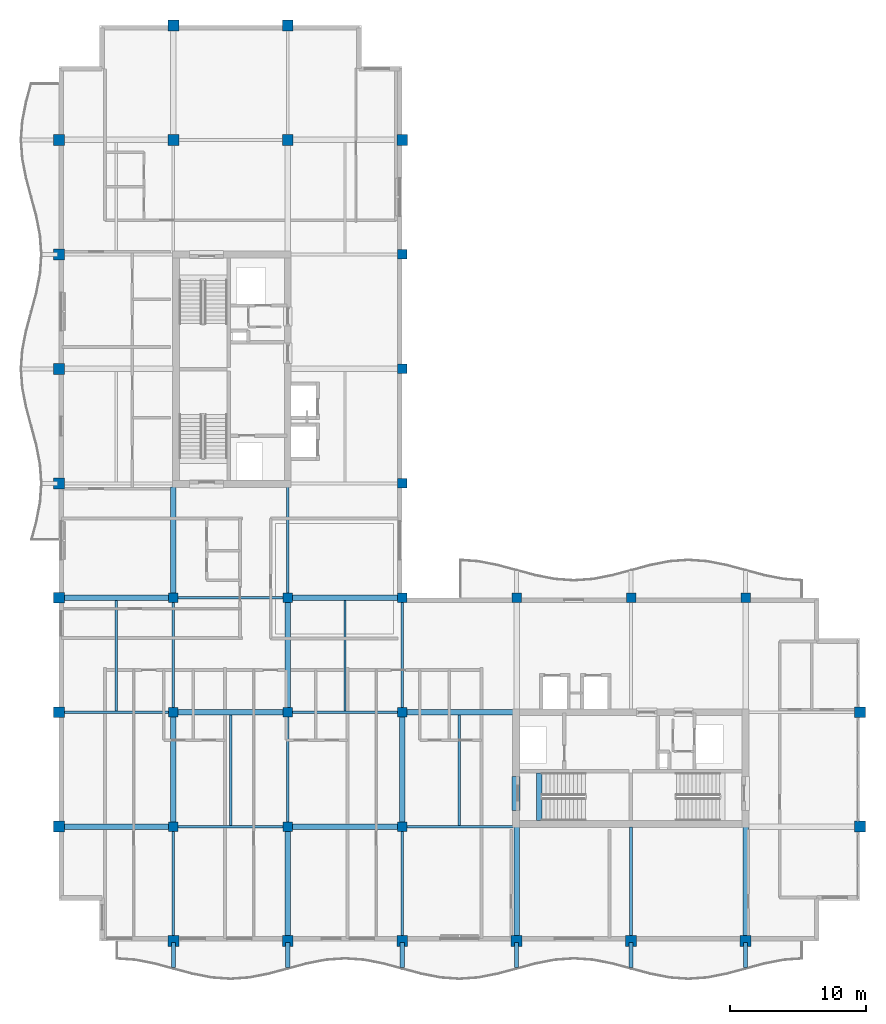
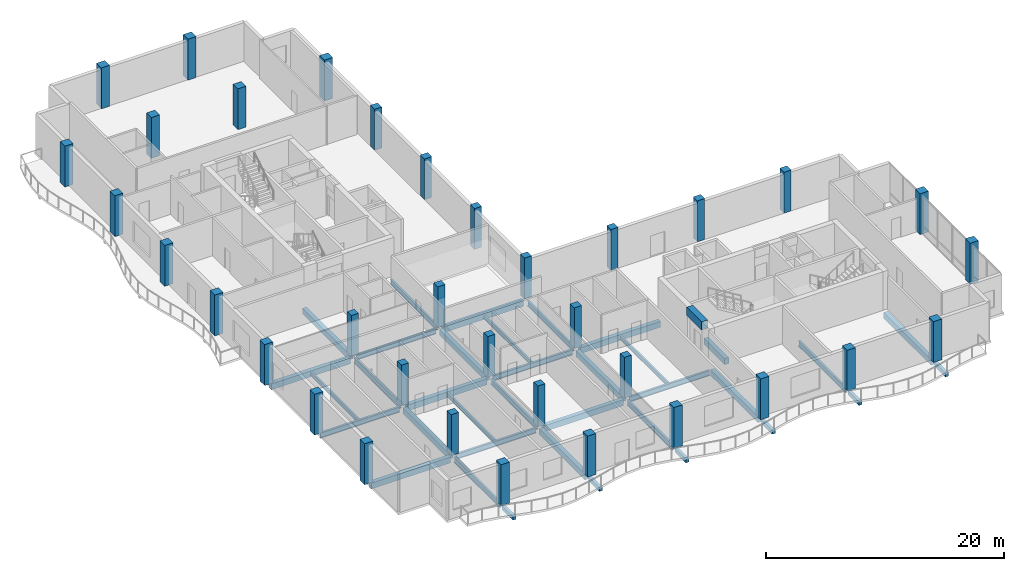
# One storey, part 1 of 16: 37 beams, 35 columns.
"""IFC4 building model written with IfcOpenShell, lengths in metres."""

from ifc_helpers import new_model, si_unit, direction, frame, origin, origin_2d, place, context, subcontext, project, spatial, rectangle, i_section, extrude, material, material_profile, profile_set, type_object, element, save


model = new_model("IFC4")

# Units and contexts
model_context = context("Model", 3, precision=1e-05, world=origin(), true_north=direction((0.0, 1.0)))
body_context = subcontext(model_context, "Body", "Model", "MODEL_VIEW")
ifc_project = project(units=[si_unit("LENGTHUNIT", "METRE"), si_unit("AREAUNIT", "SQUARE_METRE"), si_unit("VOLUMEUNIT", "CUBIC_METRE"), si_unit("PLANEANGLEUNIT", "RADIAN"), si_unit("MASSUNIT", "GRAM", prefix="KILO")], contexts=[model_context])

# Site, building, storey
site_placement = place(None, origin())
site = spatial("IfcSite", under=ifc_project, at=site_placement, CompositionType="ELEMENT")
building_placement = place(site_placement, origin())
building = spatial("IfcBuilding", under=site, at=building_placement, Name="Koriwani Terraces Tower", CompositionType="ELEMENT")
storey_placement = place(building_placement, frame((0.0, 0.0, 355.39990234375)))
storey = spatial("IfcBuildingStorey", under=building, at=storey_placement, Name="L88", CompositionType="ELEMENT", Elevation=355.39990234375)

# Columns
ifc_material_1 = material(Name="Concrete C50/60", Category="concrete")
ifc_material_profile_1 = material_profile(ifc_material_1, rectangle(XDim=0.699951171875, YDim=0.699951171875, at=origin_2d()), Name="Concrete C50/60", Category="LoadBearing")
ifc_profile_set_1 = profile_set([ifc_material_profile_1], Name="Concrete C50/60")
column_type_1 = type_object("IfcColumnType", Name="COL_RC_700X700", PredefinedType="COLUMN", material=ifc_profile_set_1)
for number, where, z_axis, x_axis, name in (
    (1, (16.800048828125, 16.800048828125, 0.0), (0.0, 0.0, 1.0), (1.0, 0.0, 0.0), "L88 Column 3/C"),
    (2, (16.800048828125, 25.199951171875, 0.0), (0.0, 0.0, 1.0), (1.0, 0.0, 0.0), "L88 Column 3/D"),
    (3, (16.800048828125, 33.60009765625, 0.0), (0.0, 0.0, 1.0), (1.0, 0.0, 0.0), "L88 Column 3/E"),
    (4, (25.199951171875, 16.800048828125, 0.0), (0.0, 0.0, 1.0), (1.0, 0.0, 0.0), "L88 Column 4/C"),
    (5, (25.199951171875, 25.199951171875, 0.0), (0.0, 0.0, 1.0), (1.0, 0.0, 0.0), "L88 Column 4/D"),
    (6, (25.199951171875, 33.60009765625, 0.0), (0.0, 0.0, 1.0), (1.0, 0.0, 0.0), "L88 Column 4/E"),
    (7, (33.60009765625, 16.800048828125, 0.0), (0.0, 0.0, 1.0), (1.0, 0.0, 0.0), "L88 Column 5/C"),
    (8, (33.60009765625, 25.199951171875, 0.0), (0.0, 0.0, 1.0), (1.0, 0.0, 0.0), "L88 Column 5/D"),
    (9, (33.60009765625, 33.60009765625, 0.0), (0.0, 0.0, 1.0), (1.0, 0.0, 0.0), "L88 Column 5/E"),
    (10, (33.60009765625, 42.0, 0.0), (0.0, 0.0, 1.0), (1.0, 0.0, 0.0), "L88 Column 5/F"),
    (11, (33.60009765625, 50.39990234375, 0.0), (0.0, 0.0, 1.0), (1.0, 0.0, 0.0), "L88 Column 5/G"),
    (12, (33.60009765625, 58.800048828125, 0.0), (0.0, 0.0, 1.0), (1.0, 0.0, 0.0), "L88 Column 5/H"),
    (13, (42.0, 33.60009765625, 0.0), (0.0, 0.0, 1.0), (1.0, 0.0, 0.0), "L88 Column 6/E"),
    (14, (50.39990234375, 33.60009765625, 0.0), (0.0, 0.0, 1.0), (1.0, 0.0, 0.0), "L88 Column 7/E"),
    (15, (58.800048828125, 33.60009765625, 0.0), (0.0, 0.0, 1.0), (1.0, 0.0, 0.0), "L88 Column 8/E"),
):
    element("IfcColumn", number, at=place(storey_placement, frame(where, z_axis=z_axis, x_axis=x_axis)), inside=storey, type_object=column_type_1, Name=name, PredefinedType="COLUMN", context=body_context, shape_type="SweptSolid", body=[
        extrude(rectangle(XDim=0.699951171875, YDim=0.699951171875, at=origin_2d()), origin(), (0.0, 0.0, 1.0), 4.2001953125),
    ])
ifc_material_profile_2 = material_profile(ifc_material_1, rectangle(XDim=0.800048828125, YDim=0.800048828125, at=origin_2d()), Name="Concrete C50/60", Category="LoadBearing")
ifc_profile_set_2 = profile_set([ifc_material_profile_2], Name="Concrete C50/60")
column_type_2 = type_object("IfcColumnType", Name="COL_RC_800X800", PredefinedType="COLUMN", material=ifc_profile_set_2)
for number, where, z_axis, x_axis, name in (
    (16, (8.39990234375, 16.800048828125, 0.0), (0.0, 0.0, 1.0), (1.0, 0.0, 0.0), "L88 Column 2/C"),
    (17, (8.39990234375, 25.199951171875, 0.0), (0.0, 0.0, 1.0), (1.0, 0.0, 0.0), "L88 Column 2/D"),
    (18, (8.39990234375, 33.60009765625, 0.0), (0.0, 0.0, 1.0), (1.0, 0.0, 0.0), "L88 Column 2/E"),
    (19, (8.39990234375, 42.0, 0.0), (0.0, 0.0, 1.0), (1.0, 0.0, 0.0), "L88 Column 2/F"),
    (20, (8.39990234375, 50.39990234375, 0.0), (0.0, 0.0, 1.0), (1.0, 0.0, 0.0), "L88 Column 2/G"),
    (21, (8.39990234375, 58.800048828125, 0.0), (0.0, 0.0, 1.0), (1.0, 0.0, 0.0), "L88 Column 2/H"),
    (22, (8.39990234375, 67.199951171875, 0.0), (0.0, 0.0, 1.0), (1.0, 0.0, 0.0), "L88 Column 2/I"),
    (23, (16.800048828125, 8.39990234375, 0.0), (0.0, 0.0, 1.0), (1.0, 0.0, 0.0), "L88 Column 3/B"),
    (24, (16.800048828125, 67.199951171875, 0.0), (0.0, 0.0, 1.0), (1.0, 0.0, 0.0), "L88 Column 3/I"),
    (25, (16.800048828125, 75.60009765625, 0.0), (0.0, 0.0, 1.0), (1.0, 0.0, 0.0), "L88 Column 3/J"),
    (26, (25.199951171875, 8.39990234375, 0.0), (0.0, 0.0, 1.0), (1.0, 0.0, 0.0), "L88 Column 4/B"),
    (27, (25.199951171875, 67.199951171875, 0.0), (0.0, 0.0, 1.0), (1.0, 0.0, 0.0), "L88 Column 4/I"),
    (28, (25.199951171875, 75.60009765625, 0.0), (0.0, 0.0, 1.0), (1.0, 0.0, 0.0), "L88 Column 4/J"),
    (29, (33.60009765625, 8.39990234375, 0.0), (0.0, 0.0, 1.0), (1.0, 0.0, 0.0), "L88 Column 5/B"),
    (30, (33.60009765625, 67.199951171875, 0.0), (0.0, 0.0, 1.0), (1.0, 0.0, 0.0), "L88 Column 5/I"),
    (31, (42.0, 8.39990234375, 0.0), (0.0, 0.0, 1.0), (1.0, 0.0, 0.0), "L88 Column 6/B"),
    (32, (50.39990234375, 8.39990234375, 0.0), (0.0, 0.0, 1.0), (1.0, 0.0, 0.0), "L88 Column 7/B"),
    (33, (58.800048828125, 8.39990234375, 0.0), (0.0, 0.0, 1.0), (1.0, 0.0, 0.0), "L88 Column 8/B"),
    (34, (67.199951171875, 16.800048828125, 0.0), (0.0, 0.0, 1.0), (1.0, 0.0, 0.0), "L88 Column 9/C"),
    (35, (67.199951171875, 25.199951171875, 0.0), (0.0, 0.0, 1.0), (1.0, 0.0, 0.0), "L88 Column 9/D"),
):
    element("IfcColumn", number, at=place(storey_placement, frame(where, z_axis=z_axis, x_axis=x_axis)), inside=storey, type_object=column_type_2, Name=name, PredefinedType="COLUMN", context=body_context, shape_type="SweptSolid", body=[
        extrude(rectangle(XDim=0.800048828125, YDim=0.800048828125, at=origin_2d()), origin(), (0.0, 0.0, 1.0), 4.2001953125),
    ])

# Beams
ifc_material_2 = material(Name="Concrete C40/50", Category="concrete")
ifc_material_profile_3 = material_profile(ifc_material_2, rectangle(XDim=0.300048828125, YDim=0.39990234375, at=origin_2d()), Name="Concrete C40/50", Category="LoadBearing")
ifc_profile_set_3 = profile_set([ifc_material_profile_3], Name="Concrete C40/50")
beam_type_1 = type_object("IfcBeamType", Name="BEAM_RC_BALCONY_RIB_300X400", PredefinedType="JOIST", material=ifc_profile_set_3)
for number, where, z_axis, x_axis, name in (
    (36, (16.800048828125, 6.449951171875, -0.429931640625), (0.0, 1.0, 0.0), (-1.0, 0.0, 0.0), "L88 Balcony Bracket Rib S-1"),
    (37, (25.199951171875, 6.449951171875, -0.429931640625), (0.0, 1.0, 0.0), (-1.0, 0.0, 0.0), "L88 Balcony Bracket Rib S-2"),
    (38, (33.60009765625, 6.449951171875, -0.429931640625), (0.0, 1.0, 0.0), (-1.0, 0.0, 0.0), "L88 Balcony Bracket Rib S-3"),
    (39, (42.0, 6.449951171875, -0.429931640625), (0.0, 1.0, 0.0), (-1.0, 0.0, 0.0), "L88 Balcony Bracket Rib S-4"),
    (40, (50.39990234375, 6.449951171875, -0.429931640625), (0.0, 1.0, 0.0), (-1.0, 0.0, 0.0), "L88 Balcony Bracket Rib S-5"),
    (41, (58.800048828125, 6.449951171875, -0.429931640625), (0.0, 1.0, 0.0), (-1.0, 0.0, 0.0), "L88 Balcony Bracket Rib S-6"),
):
    element("IfcBeam", number, at=place(storey_placement, frame(where, z_axis=z_axis, x_axis=x_axis)), inside=storey, type_object=beam_type_1, Name=name, PredefinedType="JOIST", context=body_context, shape_type="SweptSolid", body=[
        extrude(rectangle(XDim=0.300048828125, YDim=0.39990234375, at=origin_2d()), origin(), (0.0, 0.0, 1.0), 1.85009765625),
    ])
ifc_material_profile_4 = material_profile(ifc_material_1, rectangle(XDim=0.60009765625, YDim=0.85009765625, at=origin_2d()), Name="Concrete C50/60", Category="LoadBearing")
ifc_profile_set_4 = profile_set([ifc_material_profile_4], Name="Concrete C50/60")
beam_type_2 = type_object("IfcBeamType", Name="BEAM_RC_COUPLING_600X850", PredefinedType="LINTEL", material=ifc_profile_set_4)
beam_1_placement = place(storey_placement, frame((41.949951171875, 18.0, 3.545166015625), z_axis=(0.0, 1.0, 0.0), x_axis=(-1.0, 0.0, 0.0)))
element("IfcBeam", 42, at=beam_1_placement, inside=storey, type_object=beam_type_2, Name="L88 Core Coupling Lintel Beam EW", PredefinedType="LINTEL", context=body_context, shape_type="SweptSolid", body=[
    extrude(rectangle(XDim=0.60009765625, YDim=0.85009765625, at=origin_2d()), origin(), (0.0, 0.0, 1.0), 2.5),
])
ifc_material_profile_5 = material_profile(ifc_material_2, rectangle(XDim=0.39990234375, YDim=0.60009765625, at=origin_2d()), Name="Concrete C40/50", Category="LoadBearing")
ifc_profile_set_5 = profile_set([ifc_material_profile_5], Name="Concrete C40/50")
beam_type_3 = type_object("IfcBeamType", Name="BEAM_RC_GRID_400X600", PredefinedType="BEAM", material=ifc_profile_set_5)
beam_2_placement = place(storey_placement, frame((43.655029296875, 17.25, -0.2998046875), z_axis=(0.0, 1.0, 0.0), x_axis=(-1.0, 0.0, 0.0)))
element("IfcBeam", 43, at=beam_2_placement, inside=storey, type_object=beam_type_3, Name="L88 Stairwell Header Trimmer Beam ST-E1", PredefinedType="BEAM", context=body_context, shape_type="SweptSolid", body=[
    extrude(rectangle(XDim=0.39990234375, YDim=0.60009765625, at=origin_2d()), origin(), (0.0, 0.0, 1.0), 3.5),
])
beam_3_placement = place(storey_placement, frame((8.780029296875, 16.800048828125, -0.52978515625), z_axis=(1.0, 0.0, 0.0), x_axis=(0.0, 1.0, 0.0)))
element("IfcBeam", 44, at=beam_3_placement, inside=storey, type_object=beam_type_3, Name="L88 Grid Beam C (8.4-16.8m)", PredefinedType="BEAM", context=body_context, shape_type="SweptSolid", body=[
    extrude(rectangle(XDim=0.39990234375, YDim=0.60009765625, at=origin_2d()), origin(), (0.0, 0.0, 1.0), 7.68994140625),
])
beam_4_placement = place(storey_placement, frame((25.530029296875, 16.800048828125, -0.52978515625), z_axis=(1.0, 0.0, 0.0), x_axis=(0.0, 1.0, 0.0)))
element("IfcBeam", 45, at=beam_4_placement, inside=storey, type_object=beam_type_3, Name="L88 Grid Beam C (25.2-33.6m)", PredefinedType="BEAM", context=body_context, shape_type="SweptSolid", body=[
    extrude(rectangle(XDim=0.39990234375, YDim=0.60009765625, at=origin_2d()), origin(), (0.0, 0.0, 1.0), 7.739990234375),
])
beam_5_placement = place(storey_placement, frame((17.1298828125, 25.199951171875, -0.52978515625), z_axis=(1.0, 0.0, 0.0), x_axis=(0.0, 1.0, 0.0)))
element("IfcBeam", 46, at=beam_5_placement, inside=storey, type_object=beam_type_3, Name="L88 Grid Beam D (16.8-25.2m)", PredefinedType="BEAM", context=body_context, shape_type="SweptSolid", body=[
    extrude(rectangle(XDim=0.39990234375, YDim=0.60009765625, at=origin_2d()), origin(), (0.0, 0.0, 1.0), 7.740234375),
])
beam_6_placement = place(storey_placement, frame((33.929931640625, 25.199951171875, -0.52978515625), z_axis=(1.0, 0.0, 0.0), x_axis=(0.0, 1.0, 0.0)))
element("IfcBeam", 47, at=beam_6_placement, inside=storey, type_object=beam_type_3, Name="L88 Grid Beam D (33.6-42.0m)", PredefinedType="BEAM", context=body_context, shape_type="SweptSolid", body=[
    extrude(rectangle(XDim=0.39990234375, YDim=0.60009765625, at=origin_2d()), origin(), (0.0, 0.0, 1.0), 7.7900390625),
])
beam_7_placement = place(storey_placement, frame((8.780029296875, 33.60009765625, -0.52978515625), z_axis=(1.0, 0.0, 0.0), x_axis=(0.0, 1.0, 0.0)))
element("IfcBeam", 48, at=beam_7_placement, inside=storey, type_object=beam_type_3, Name="L88 Grid Beam E (8.4-16.8m)", PredefinedType="BEAM", context=body_context, shape_type="SweptSolid", body=[
    extrude(rectangle(XDim=0.39990234375, YDim=0.60009765625, at=origin_2d()), origin(), (0.0, 0.0, 1.0), 7.68994140625),
])
beam_8_placement = place(storey_placement, frame((25.530029296875, 33.60009765625, -0.52978515625), z_axis=(1.0, 0.0, 0.0), x_axis=(0.0, 1.0, 0.0)))
element("IfcBeam", 49, at=beam_8_placement, inside=storey, type_object=beam_type_3, Name="L88 Grid Beam E (25.2-33.6m)", PredefinedType="BEAM", context=body_context, shape_type="SweptSolid", body=[
    extrude(rectangle(XDim=0.39990234375, YDim=0.60009765625, at=origin_2d()), origin(), (0.0, 0.0, 1.0), 7.739990234375),
])
beam_9_placement = place(storey_placement, frame((16.800048828125, 17.1298828125, -0.52978515625), z_axis=(0.0, 1.0, 0.0), x_axis=(-1.0, 0.0, 0.0)))
element("IfcBeam", 50, at=beam_9_placement, inside=storey, type_object=beam_type_3, Name="L88 Grid Beam 3 (16.8-25.2m)", PredefinedType="BEAM", context=body_context, shape_type="SweptSolid", body=[
    extrude(rectangle(XDim=0.39990234375, YDim=0.60009765625, at=origin_2d()), origin(), (0.0, 0.0, 1.0), 7.740234375),
])
beam_10_placement = place(storey_placement, frame((16.800048828125, 33.929931640625, -0.52978515625), z_axis=(0.0, 1.0, 0.0), x_axis=(-1.0, 0.0, 0.0)))
element("IfcBeam", 51, at=beam_10_placement, inside=storey, type_object=beam_type_3, Name="L88 Grid Beam 3 (33.6-42.0m)", PredefinedType="BEAM", context=body_context, shape_type="SweptSolid", body=[
    extrude(rectangle(XDim=0.39990234375, YDim=0.60009765625, at=origin_2d()), origin(), (0.0, 0.0, 1.0), 7.7900390625),
])
beam_11_placement = place(storey_placement, frame((25.199951171875, 8.780029296875, -0.52978515625), z_axis=(0.0, 1.0, 0.0), x_axis=(-1.0, 0.0, 0.0)))
element("IfcBeam", 52, at=beam_11_placement, inside=storey, type_object=beam_type_3, Name="L88 Grid Beam 4 (8.4-16.8m)", PredefinedType="BEAM", context=body_context, shape_type="SweptSolid", body=[
    extrude(rectangle(XDim=0.39990234375, YDim=0.60009765625, at=origin_2d()), origin(), (0.0, 0.0, 1.0), 7.68994140625),
])
beam_12_placement = place(storey_placement, frame((25.199951171875, 25.530029296875, -0.52978515625), z_axis=(0.0, 1.0, 0.0), x_axis=(-1.0, 0.0, 0.0)))
element("IfcBeam", 53, at=beam_12_placement, inside=storey, type_object=beam_type_3, Name="L88 Grid Beam 4 (25.2-33.6m)", PredefinedType="BEAM", context=body_context, shape_type="SweptSolid", body=[
    extrude(rectangle(XDim=0.39990234375, YDim=0.60009765625, at=origin_2d()), origin(), (0.0, 0.0, 1.0), 7.739990234375),
])
beam_13_placement = place(storey_placement, frame((33.60009765625, 17.1298828125, -0.52978515625), z_axis=(0.0, 1.0, 0.0), x_axis=(-1.0, 0.0, 0.0)))
element("IfcBeam", 54, at=beam_13_placement, inside=storey, type_object=beam_type_3, Name="L88 Grid Beam 5 (16.8-25.2m)", PredefinedType="BEAM", context=body_context, shape_type="SweptSolid", body=[
    extrude(rectangle(XDim=0.39990234375, YDim=0.60009765625, at=origin_2d()), origin(), (0.0, 0.0, 1.0), 7.740234375),
])
for number, where, z_axis, x_axis, name in (
    (55, (42.0, 8.780029296875, -0.52978515625), (0.0, 1.0, 0.0), (-1.0, 0.0, 0.0), "L88 Grid Beam 6 (8.4-16.8m)"),
    (56, (58.800048828125, 8.780029296875, -0.52978515625), (0.0, 1.0, 0.0), (-1.0, 0.0, 0.0), "L88 Grid Beam 8 (8.4-16.8m)"),
):
    element("IfcBeam", number, at=place(storey_placement, frame(where, z_axis=z_axis, x_axis=x_axis)), inside=storey, type_object=beam_type_3, Name=name, PredefinedType="BEAM", context=body_context, shape_type="SweptSolid", body=[
        extrude(rectangle(XDim=0.39990234375, YDim=0.60009765625, at=origin_2d()), origin(), (0.0, 0.0, 1.0), 7.989990234375),
    ])
ifc_material_3 = material(Name="Steel ASTM A572 Grade 50", Category="steel")
ifc_material_profile_6 = material_profile(ifc_material_3, i_section(OverallWidth=0.180908203125, OverallDepth=0.4169921875, WebThickness=0.010986328125, FlangeThickness=0.018310546875, at=origin_2d()), Name="Steel ASTM A572 Grade 50", Category="LoadBearing")
ifc_profile_set_6 = profile_set([ifc_material_profile_6], Name="Steel ASTM A572 Grade 50")
beam_type_4 = type_object("IfcBeamType", Name="STEEL_BEAM_W410X85", PredefinedType="JOIST", material=ifc_profile_set_6)
for number, where, z_axis, x_axis, name in (
    (57, (12.60009765625, 25.2958984375, -0.4384765625), (0.0, 1.0, 0.0), (-1.0, 0.0, 0.0), "L88 Secondary Steel Floor Joist X=12.6m"),
    (58, (21.0, 16.89599609375, -0.4384765625), (0.0, 1.0, 0.0), (-1.0, 0.0, 0.0), "L88 Secondary Steel Floor Joist X=21.0m"),
    (59, (29.39990234375, 25.2958984375, -0.4384765625), (0.0, 1.0, 0.0), (-1.0, 0.0, 0.0), "L88 Secondary Steel Floor Joist X=29.4m"),
    (60, (37.800048828125, 16.89599609375, -0.4384765625), (0.0, 1.0, 0.0), (-1.0, 0.0, 0.0), "L88 Secondary Steel Floor Joist X=37.8m"),
):
    element("IfcBeam", number, at=place(storey_placement, frame(where, z_axis=z_axis, x_axis=x_axis)), inside=storey, type_object=beam_type_4, Name=name, PredefinedType="JOIST", context=body_context, shape_type="SweptSolid", body=[
        extrude(i_section(OverallWidth=0.180908203125, OverallDepth=0.4169921875, WebThickness=0.010986328125, FlangeThickness=0.018310546875, at=origin_2d()), origin(), (0.0, 0.0, 1.0), 8.114013671875),
    ])
ifc_material_profile_7 = material_profile(ifc_material_3, i_section(OverallWidth=0.2119140625, OverallDepth=0.54296875, WebThickness=0.0126953125, FlangeThickness=0.021240234375, at=origin_2d()), Name="Steel ASTM A572 Grade 50", Category="LoadBearing")
ifc_profile_set_7 = profile_set([ifc_material_profile_7], Name="Steel ASTM A572 Grade 50")
beam_type_5 = type_object("IfcBeamType", Name="STEEL_BEAM_W530X150", PredefinedType="BEAM", material=ifc_profile_set_7)
beam_14_placement = place(storey_placement, frame((17.1298828125, 16.800048828125, -0.50146484375), z_axis=(1.0, 0.0, 0.0), x_axis=(0.0, 1.0, 0.0)))
element("IfcBeam", 61, at=beam_14_placement, inside=storey, type_object=beam_type_5, Name="L88 Grid Beam C (16.8-25.2m)", PredefinedType="BEAM", context=body_context, shape_type="SweptSolid", body=[
    extrude(i_section(OverallWidth=0.2119140625, OverallDepth=0.54296875, WebThickness=0.0126953125, FlangeThickness=0.021240234375, at=origin_2d()), origin(), (0.0, 0.0, 1.0), 7.740234375),
])
beam_15_placement = place(storey_placement, frame((33.929931640625, 16.800048828125, -0.50146484375), z_axis=(1.0, 0.0, 0.0), x_axis=(0.0, 1.0, 0.0)))
element("IfcBeam", 62, at=beam_15_placement, inside=storey, type_object=beam_type_5, Name="L88 Grid Beam C (33.6-42.0m)", PredefinedType="BEAM", context=body_context, shape_type="SweptSolid", body=[
    extrude(i_section(OverallWidth=0.2119140625, OverallDepth=0.54296875, WebThickness=0.0126953125, FlangeThickness=0.021240234375, at=origin_2d()), origin(), (0.0, 0.0, 1.0), 7.7900390625),
])
beam_16_placement = place(storey_placement, frame((8.780029296875, 25.199951171875, -0.50146484375), z_axis=(1.0, 0.0, 0.0), x_axis=(0.0, 1.0, 0.0)))
element("IfcBeam", 63, at=beam_16_placement, inside=storey, type_object=beam_type_5, Name="L88 Grid Beam D (8.4-16.8m)", PredefinedType="BEAM", context=body_context, shape_type="SweptSolid", body=[
    extrude(i_section(OverallWidth=0.2119140625, OverallDepth=0.54296875, WebThickness=0.0126953125, FlangeThickness=0.021240234375, at=origin_2d()), origin(), (0.0, 0.0, 1.0), 7.68994140625),
])
beam_17_placement = place(storey_placement, frame((25.530029296875, 25.199951171875, -0.50146484375), z_axis=(1.0, 0.0, 0.0), x_axis=(0.0, 1.0, 0.0)))
element("IfcBeam", 64, at=beam_17_placement, inside=storey, type_object=beam_type_5, Name="L88 Grid Beam D (25.2-33.6m)", PredefinedType="BEAM", context=body_context, shape_type="SweptSolid", body=[
    extrude(i_section(OverallWidth=0.2119140625, OverallDepth=0.54296875, WebThickness=0.0126953125, FlangeThickness=0.021240234375, at=origin_2d()), origin(), (0.0, 0.0, 1.0), 7.739990234375),
])
beam_18_placement = place(storey_placement, frame((17.1298828125, 33.60009765625, -0.50146484375), z_axis=(1.0, 0.0, 0.0), x_axis=(0.0, 1.0, 0.0)))
element("IfcBeam", 65, at=beam_18_placement, inside=storey, type_object=beam_type_5, Name="L88 Grid Beam E (16.8-25.2m)", PredefinedType="BEAM", context=body_context, shape_type="SweptSolid", body=[
    extrude(i_section(OverallWidth=0.2119140625, OverallDepth=0.54296875, WebThickness=0.0126953125, FlangeThickness=0.021240234375, at=origin_2d()), origin(), (0.0, 0.0, 1.0), 7.740234375),
])
beam_19_placement = place(storey_placement, frame((16.800048828125, 8.780029296875, -0.50146484375), z_axis=(0.0, 1.0, 0.0), x_axis=(-1.0, 0.0, 0.0)))
element("IfcBeam", 66, at=beam_19_placement, inside=storey, type_object=beam_type_5, Name="L88 Grid Beam 3 (8.4-16.8m)", PredefinedType="BEAM", context=body_context, shape_type="SweptSolid", body=[
    extrude(i_section(OverallWidth=0.2119140625, OverallDepth=0.54296875, WebThickness=0.0126953125, FlangeThickness=0.021240234375, at=origin_2d()), origin(), (0.0, 0.0, 1.0), 7.68994140625),
])
beam_20_placement = place(storey_placement, frame((16.800048828125, 25.530029296875, -0.50146484375), z_axis=(0.0, 1.0, 0.0), x_axis=(-1.0, 0.0, 0.0)))
element("IfcBeam", 67, at=beam_20_placement, inside=storey, type_object=beam_type_5, Name="L88 Grid Beam 3 (25.2-33.6m)", PredefinedType="BEAM", context=body_context, shape_type="SweptSolid", body=[
    extrude(i_section(OverallWidth=0.2119140625, OverallDepth=0.54296875, WebThickness=0.0126953125, FlangeThickness=0.021240234375, at=origin_2d()), origin(), (0.0, 0.0, 1.0), 7.739990234375),
])
beam_21_placement = place(storey_placement, frame((25.199951171875, 17.1298828125, -0.50146484375), z_axis=(0.0, 1.0, 0.0), x_axis=(-1.0, 0.0, 0.0)))
element("IfcBeam", 68, at=beam_21_placement, inside=storey, type_object=beam_type_5, Name="L88 Grid Beam 4 (16.8-25.2m)", PredefinedType="BEAM", context=body_context, shape_type="SweptSolid", body=[
    extrude(i_section(OverallWidth=0.2119140625, OverallDepth=0.54296875, WebThickness=0.0126953125, FlangeThickness=0.021240234375, at=origin_2d()), origin(), (0.0, 0.0, 1.0), 7.740234375),
])
beam_22_placement = place(storey_placement, frame((25.199951171875, 33.929931640625, -0.50146484375), z_axis=(0.0, 1.0, 0.0), x_axis=(-1.0, 0.0, 0.0)))
element("IfcBeam", 69, at=beam_22_placement, inside=storey, type_object=beam_type_5, Name="L88 Grid Beam 4 (33.6-42.0m)", PredefinedType="BEAM", context=body_context, shape_type="SweptSolid", body=[
    extrude(i_section(OverallWidth=0.2119140625, OverallDepth=0.54296875, WebThickness=0.0126953125, FlangeThickness=0.021240234375, at=origin_2d()), origin(), (0.0, 0.0, 1.0), 7.7900390625),
])
beam_23_placement = place(storey_placement, frame((33.60009765625, 8.780029296875, -0.50146484375), z_axis=(0.0, 1.0, 0.0), x_axis=(-1.0, 0.0, 0.0)))
element("IfcBeam", 70, at=beam_23_placement, inside=storey, type_object=beam_type_5, Name="L88 Grid Beam 5 (8.4-16.8m)", PredefinedType="BEAM", context=body_context, shape_type="SweptSolid", body=[
    extrude(i_section(OverallWidth=0.2119140625, OverallDepth=0.54296875, WebThickness=0.0126953125, FlangeThickness=0.021240234375, at=origin_2d()), origin(), (0.0, 0.0, 1.0), 7.68994140625),
])
beam_24_placement = place(storey_placement, frame((33.60009765625, 25.530029296875, -0.50146484375), z_axis=(0.0, 1.0, 0.0), x_axis=(-1.0, 0.0, 0.0)))
element("IfcBeam", 71, at=beam_24_placement, inside=storey, type_object=beam_type_5, Name="L88 Grid Beam 5 (25.2-33.6m)", PredefinedType="BEAM", context=body_context, shape_type="SweptSolid", body=[
    extrude(i_section(OverallWidth=0.2119140625, OverallDepth=0.54296875, WebThickness=0.0126953125, FlangeThickness=0.021240234375, at=origin_2d()), origin(), (0.0, 0.0, 1.0), 7.739990234375),
])
beam_25_placement = place(storey_placement, frame((50.39990234375, 8.780029296875, -0.50146484375), z_axis=(0.0, 1.0, 0.0), x_axis=(-1.0, 0.0, 0.0)))
element("IfcBeam", 72, at=beam_25_placement, inside=storey, type_object=beam_type_5, Name="L88 Grid Beam 7 (8.4-16.8m)", PredefinedType="BEAM", context=body_context, shape_type="SweptSolid", body=[
    extrude(i_section(OverallWidth=0.2119140625, OverallDepth=0.54296875, WebThickness=0.0126953125, FlangeThickness=0.021240234375, at=origin_2d()), origin(), (0.0, 0.0, 1.0), 7.989990234375),
])

save(model, "model.ifc")
